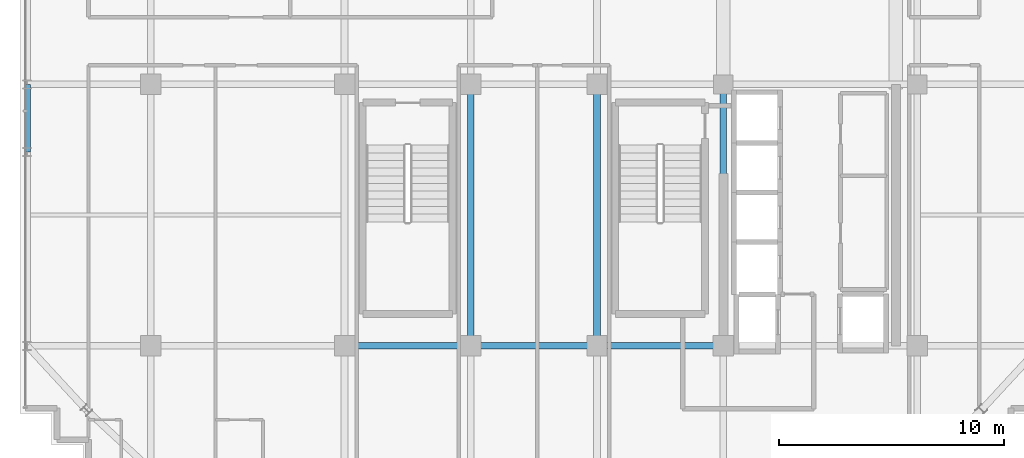
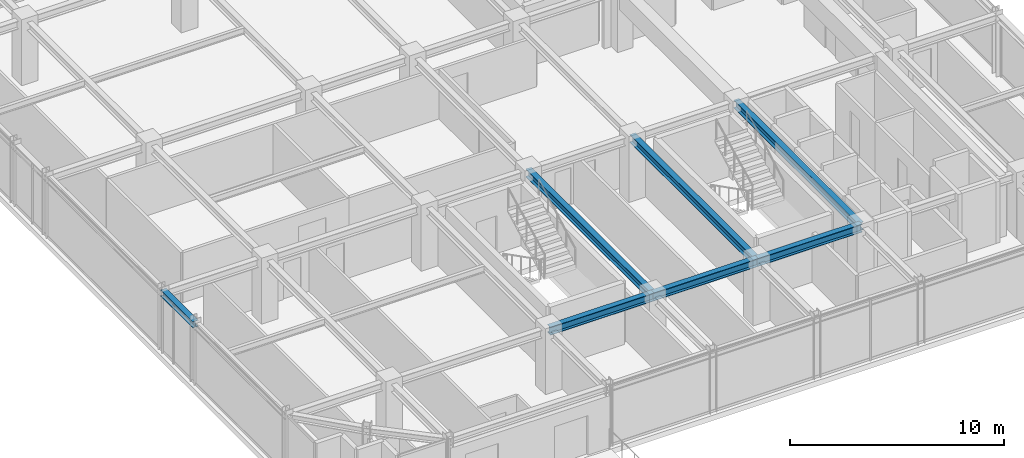
# One storey, part 8 of 33: 7 beams.
"""IFC4 building model written with IfcOpenShell, lengths in metres."""

from ifc_helpers import new_model, si_unit, direction, frame, origin, origin_2d, place, context, subcontext, project, spatial, i_section, extrude, source, transform, mapped, material, material_profile, profile_set, type_object, element, save


model = new_model("IFC4")

# Units and contexts
model_context = context("Model", 3, precision=1e-05, world=origin(), true_north=direction((0.0, 1.0)))
body_context = subcontext(model_context, "Body", "Model", "MODEL_VIEW")
ifc_project = project(units=[si_unit("LENGTHUNIT", "METRE"), si_unit("AREAUNIT", "SQUARE_METRE"), si_unit("VOLUMEUNIT", "CUBIC_METRE"), si_unit("PLANEANGLEUNIT", "RADIAN"), si_unit("MASSUNIT", "GRAM", prefix="KILO")], contexts=[model_context])

# Site, building, storey
site_placement = place(None, origin())
site = spatial("IfcSite", under=ifc_project, at=site_placement, CompositionType="ELEMENT")
building_placement = place(site_placement, origin())
building = spatial("IfcBuilding", under=site, at=building_placement, Name="Nahalor Promenade Grand Hotel", CompositionType="ELEMENT")
storey_placement = place(building_placement, frame((0.0, 0.0, 315.75)))
storey = spatial("IfcBuildingStorey", under=building, at=storey_placement, Name="L81", CompositionType="ELEMENT", Elevation=315.75)

# Beams
ifc_material = material(Name="Steel S355JR", Category="steel")
ifc_material_profile_1 = material_profile(ifc_material, i_section(OverallWidth=0.3, OverallDepth=0.45, WebThickness=0.014, FlangeThickness=0.026, at=origin_2d()), Name="HEB 450")
ifc_profile_set_1 = profile_set([ifc_material_profile_1], Name="Steel S355JR")
beam_type_1 = type_object("IfcBeamType", Name="Beam-Girder-HEB450", PredefinedType="BEAM", material=ifc_profile_set_1)
shared_shape_1 = source(origin(), body_context, "Body", "SweptSolid", [
    extrude(i_section(OverallWidth=0.3, OverallDepth=0.45, WebThickness=0.014, FlangeThickness=0.026, at=origin_2d()), origin(), (0.0, 0.0, 1.0), 5.599853515625),
])
for number, where, z_axis, x_axis, name in (
    (1, (-8.39990234375, -17.0, 3.27490234375), (1.0, 0.0, 0.0), (0.0, 1.0, 0.0), "BM-L81-GX-0-2"),
    (2, (2.800048828125, -17.0, 3.27490234375), (1.0, 0.0, 0.0), (0.0, 1.0, 0.0), "BM-L81-GX-0-4"),
):
    element("IfcBeam", number, at=place(storey_placement, frame(where, z_axis=z_axis, x_axis=x_axis)), inside=storey, type_object=beam_type_1, Name=name, PredefinedType="BEAM", context=body_context, shape_type="MappedRepresentation", body=[
        mapped(shared_shape_1, transform((0.0, 0.0, 0.0), scale=1.0)),
    ])
shared_shape_2 = source(origin(), body_context, "Body", "SweptSolid", [
    extrude(i_section(OverallWidth=0.3, OverallDepth=0.45, WebThickness=0.014, FlangeThickness=0.026, at=origin_2d()), origin(), (0.0, 0.0, 1.0), 5.60009765625),
])
beam_1_placement = place(storey_placement, frame((-2.800048828125, -17.0, 3.27490234375), z_axis=(1.0, 0.0, 0.0), x_axis=(0.0, 1.0, 0.0)))
element("IfcBeam", 3, at=beam_1_placement, inside=storey, type_object=beam_type_1, Name="BM-L81-GX-0-3", PredefinedType="BEAM", context=body_context, shape_type="MappedRepresentation", body=[
    mapped(shared_shape_2, transform((0.0, 0.0, 0.0), scale=1.0)),
])
shared_shape_3 = source(origin(), body_context, "Body", "SweptSolid", [
    extrude(i_section(OverallWidth=0.3, OverallDepth=0.45, WebThickness=0.014, FlangeThickness=0.026, at=origin_2d()), origin(), (0.0, 0.0, 1.0), 11.60009765625),
])
for number, where, z_axis, x_axis, name in (
    (4, (-2.800048828125, -17.0, 3.27490234375), (0.0, 1.0, 0.0), (-1.0, 0.0, 0.0), "BM-L81-GY-2-1"),
    (5, (2.800048828125, -17.0, 3.27490234375), (0.0, 1.0, 0.0), (-1.0, 0.0, 0.0), "BM-L81-GY-3-1"),
    (6, (8.39990234375, -17.0, 3.27490234375), (0.0, 1.0, 0.0), (-1.0, 0.0, 0.0), "BM-L81-GY-4-1"),
):
    element("IfcBeam", number, at=place(storey_placement, frame(where, z_axis=z_axis, x_axis=x_axis)), inside=storey, type_object=beam_type_1, Name=name, PredefinedType="BEAM", context=body_context, shape_type="MappedRepresentation", body=[
        mapped(shared_shape_3, transform((0.0, 0.0, 0.0), scale=1.0)),
    ])
ifc_material_profile_2 = material_profile(ifc_material, i_section(OverallWidth=0.3, OverallDepth=0.36, WebThickness=0.0125, FlangeThickness=0.0225, at=origin_2d()), Name="HEB 360")
ifc_profile_set_2 = profile_set([ifc_material_profile_2], Name="Steel S355JR")
beam_type_2 = type_object("IfcBeamType", Name="Beam-Spandrel-HEB360", PredefinedType="SPANDREL", material=ifc_profile_set_2)
shared_shape_4 = source(origin(), body_context, "Body", "SweptSolid", [
    extrude(i_section(OverallWidth=0.3, OverallDepth=0.36, WebThickness=0.0125, FlangeThickness=0.0225, at=origin_2d()), origin(), (0.0, 0.0, 1.0), 3.0),
])
beam_2_placement = place(storey_placement, frame((-22.47998046875, -8.39990234375, 3.320068359375), z_axis=(0.0, 1.0, 0.0), x_axis=(-1.0, 0.0, 0.0)))
element("IfcBeam", 7, at=beam_2_placement, inside=storey, type_object=beam_type_2, Name="BM-L81-SP-W-1", PredefinedType="SPANDREL", context=body_context, shape_type="MappedRepresentation", body=[
    mapped(shared_shape_4, transform((0.0, 0.0, 0.0), scale=1.0)),
])

save(model, "model.ifc")
